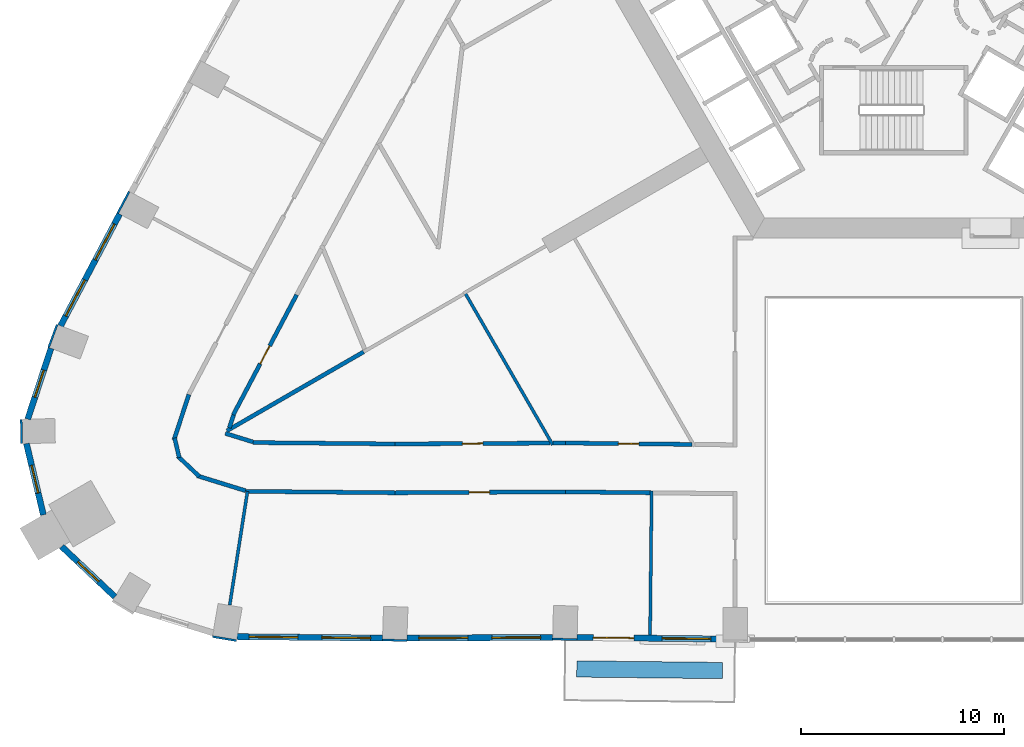
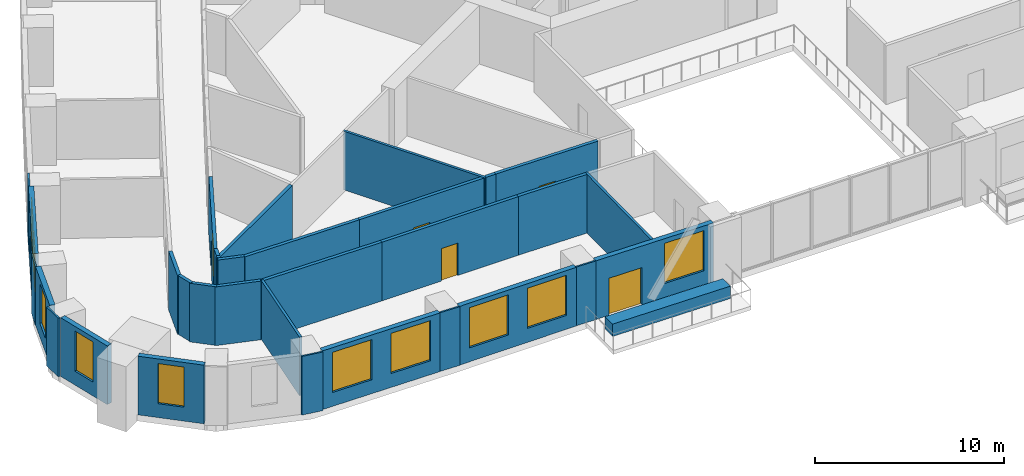
# One storey, part 4 of 14: 32 walls, 10 windows, 5 doors, 15 openings.
"""IFC4 building model written with IfcOpenShell, lengths in metres."""

from ifc_helpers import new_model, si_unit, direction, frame, frame_2d, origin, place, context, subcontext, project, spatial, rectangle, extrude, material, layer, layer_set, type_object, element, fill, save


model = new_model("IFC4")

# Units and contexts
model_context = context("Model", 3, precision=1e-05, world=origin(), true_north=direction((0.0, 1.0)))
body_context = subcontext(model_context, "Body", "Model", "MODEL_VIEW")
ifc_project = project(units=[si_unit("LENGTHUNIT", "METRE"), si_unit("AREAUNIT", "SQUARE_METRE"), si_unit("VOLUMEUNIT", "CUBIC_METRE"), si_unit("PLANEANGLEUNIT", "RADIAN"), si_unit("MASSUNIT", "GRAM", prefix="KILO")], contexts=[model_context])

# Site, building, storey
site_placement = place(None, origin())
site = spatial("IfcSite", under=ifc_project, at=site_placement, CompositionType="ELEMENT")
building_placement = place(site_placement, origin())
building = spatial("IfcBuilding", under=site, at=building_placement, Name="Entoto Arch Interchange Tower", CompositionType="ELEMENT")
storey_placement = place(building_placement, frame((0.0, 0.0, 64.39990234375)))
storey = spatial("IfcBuildingStorey", under=building, at=storey_placement, Name="L13", CompositionType="ELEMENT", Elevation=64.39990234375)

# Walls
ifc_material_1 = material(Name="Gypsum board partition on steel studs", Category="steel")
ifc_layer_1 = layer(ifc_material_1, 0.14990234375)
ifc_layer_set_1 = layer_set([ifc_layer_1], Name="Gypsum board partition on steel studs")
wall_type_1 = type_object("IfcWallType", Name="PARTITION 150", PredefinedType="PARTITIONING", material=ifc_layer_set_1)
wall_1_placement = place(storey_placement, frame((-16.76708984375, -19.657958984375, 0.0), z_axis=(0.0, 0.0, 1.0), x_axis=(-0.500083586486, 0.865977139726, 0.0)))
element("IfcWall", 1, at=wall_1_placement, inside=storey, type_object=wall_type_1, Name="wall:L13:p132", PredefinedType="PARTITIONING", context=body_context, shape_type="SweptSolid", body=[
    extrude(rectangle(XDim=8.68017578125, YDim=0.14990234375, at=frame_2d((4.340087890625, 0.0))), origin(), (0.0, 0.0, 1.0), 3.800048828125),
])
wall_2_placement = place(storey_placement, frame((-31.77294921875, -21.944091796875, 0.0), z_axis=(0.0, 0.0, 1.0), x_axis=(-0.154313693693, -0.988021904585, 0.0)))
element("IfcWall", 2, at=wall_2_placement, inside=storey, type_object=wall_type_1, Name="wall:L13:p149", PredefinedType="PARTITIONING", context=body_context, shape_type="SweptSolid", body=[
    extrude(rectangle(XDim=5.65771484375, YDim=0.14990234375, at=frame_2d((2.828857421875, 0.0))), origin(), (0.0, 0.0, 1.0), 3.800048828125),
])
wall_3_placement = place(storey_placement, frame((-11.903076171875, -21.9150390625, 0.0), z_axis=(0.0, 0.0, 1.0), x_axis=(-0.011106223261, -0.999938324, 0.0)))
element("IfcWall", 3, at=wall_3_placement, inside=storey, type_object=wall_type_1, Name="wall:L13:p150", PredefinedType="PARTITIONING", context=body_context, shape_type="SweptSolid", body=[
    extrude(rectangle(XDim=7.100341796875, YDim=0.14990234375, at=frame_2d((3.55029296875, 0.0))), origin(), (0.0, 0.0, 1.0), 3.800048828125),
])
ifc_layer_2 = layer(ifc_material_1, 0.199951171875)
ifc_layer_set_2 = layer_set([ifc_layer_2], Name="Gypsum board partition on steel studs")
wall_type_2 = type_object("IfcWallType", Name="PARTITION 200", PredefinedType="PARTITIONING", material=ifc_layer_set_2)
wall_4_placement = place(storey_placement, frame((-16.741943359375, -19.571044921875, 0.0), z_axis=(0.0, 0.0, 1.0), x_axis=(0.999988034534, 0.004891910483, 0.0)))
element("IfcWall", 4, at=wall_4_placement, inside=storey, type_object=wall_type_2, Name="wall:L13:p035", PredefinedType="PARTITIONING", context=body_context, shape_type="SweptSolid", body=[
    extrude(rectangle(XDim=0.598876953125, YDim=0.199951171875, at=frame_2d((0.29931640625, 0.0))), origin(), (0.0, 0.0, 1.0), 3.800048828125),
])

# Wall, opening, door
wall_5_placement = place(storey_placement, frame((-16.14306640625, -19.568115234375, 0.0), z_axis=(0.0, 0.0, 1.0), x_axis=(0.999938688645, -0.011073344206, 0.0)))
wall_5 = element("IfcWall", 5, at=wall_5_placement, inside=storey, type_object=wall_type_2, Name="wall:L13:p036", PredefinedType="PARTITIONING", context=body_context, shape_type="SweptSolid", body=[
    extrude(rectangle(XDim=6.217529296875, YDim=0.199951171875, at=frame_2d((3.10888671875, 0.0))), origin(), (0.0, 0.0, 1.0), 3.800048828125),
])
opening_1_placement = place(wall_5_placement, frame((2.60888671875, 0.0, 0.0)))
opening_1 = element("IfcOpeningElement", 6, at=opening_1_placement, cuts=wall_5, Name="Opening L13-D24", PredefinedType="OPENING", context=body_context, shape_type="SweptSolid", body=[
    extrude(rectangle(XDim=1.0, YDim=2.10009765625, at=frame_2d((0.5, 1.050048828125))), frame((0.0, 0.10986328125, 0.0), z_axis=(0.0, -1.0, 0.0), x_axis=(1.0, 0.0, 0.0)), (0.0, 0.0, 1.0), 0.219970703125),
])
ifc_material_2 = material(Name="Timber door leaf in Steel S235 frame", Category="steel")
door_type_1 = type_object("IfcDoorType", Name="DOOR DS-10 1000x2100", OperationType="SINGLE_SWING_LEFT", PredefinedType="DOOR", material=ifc_material_2)
door_1_placement = place(opening_1_placement, origin())
door_1 = element("IfcDoor", 7, at=door_1_placement, inside=storey, type_object=door_type_1, Name="door:L13:24", OperationType="SINGLE_SWING_LEFT", OverallHeight=2.10009765625, OverallWidth=1.0, PredefinedType="DOOR", context=body_context, shape_type="SweptSolid", body=[
    extrude(rectangle(XDim=1.0, YDim=2.10009765625, at=frame_2d((0.5, 1.050048828125))), frame((0.0, 0.02490234375, 0.0), z_axis=(0.0, -1.0, 0.0), x_axis=(1.0, 0.0, 0.0)), (0.0, 0.0, 1.0), 0.050048828125),
])
fill(opening_1, door_1)

wall_6_placement = place(storey_placement, frame((-29.35595703125, -12.281005859375, 0.0), z_axis=(0.0, 0.0, 1.0), x_axis=(-0.467123190417, -0.884192244353, 0.0)))
wall_6 = element("IfcWall", 8, at=wall_6_placement, inside=storey, type_object=wall_type_2, Name="wall:L13:p038", PredefinedType="PARTITIONING", context=body_context, shape_type="SweptSolid", body=[
    extrude(rectangle(XDim=6.67724609375, YDim=0.199951171875, at=frame_2d((3.338623046875, 0.0))), origin(), (0.0, 0.0, 1.0), 3.800048828125),
])
opening_2_placement = place(wall_6_placement, frame((2.839111328125, 0.0, 0.0)))
opening_2 = element("IfcOpeningElement", 9, at=opening_2_placement, cuts=wall_6, Name="Opening L13-D25", PredefinedType="OPENING", context=body_context, shape_type="SweptSolid", body=[
    extrude(rectangle(XDim=1.0, YDim=2.10009765625, at=frame_2d((0.5, 1.050048828125))), frame((0.0, 0.10986328125, 0.0), z_axis=(0.0, -1.0, 0.0), x_axis=(1.0, 0.0, 0.0)), (0.0, 0.0, 1.0), 0.219970703125),
])
door_2_placement = place(opening_2_placement, origin())
door_2 = element("IfcDoor", 10, at=door_2_placement, inside=storey, type_object=door_type_1, Name="door:L13:25", OperationType="SINGLE_SWING_LEFT", OverallHeight=2.10009765625, OverallWidth=1.0, PredefinedType="DOOR", context=body_context, shape_type="SweptSolid", body=[
    extrude(rectangle(XDim=1.0, YDim=2.10009765625, at=frame_2d((0.5, 1.050048828125))), frame((0.0, 0.02490234375, 0.0), z_axis=(0.0, -1.0, 0.0), x_axis=(1.0, 0.0, 0.0)), (0.0, 0.0, 1.0), 0.050048828125),
])
fill(opening_2, door_2)

# Walls
wall_7_placement = place(storey_placement, frame((-32.458984375, -18.19091796875, 0.0), z_axis=(0.0, 0.0, 1.0), x_axis=(-0.312158013001, -0.950030196846, 0.0)))
element("IfcWall", 11, at=wall_7_placement, inside=storey, type_object=wall_type_2, Name="wall:L13:p039", PredefinedType="PARTITIONING", context=body_context, shape_type="SweptSolid", body=[
    extrude(rectangle(XDim=0.666259765625, YDim=0.199951171875, at=frame_2d((0.3330078125, 0.0))), origin(), (0.0, 0.0, 1.0), 3.800048828125),
])
wall_8_placement = place(storey_placement, frame((-32.861083984375, -19.094970703125, 0.0), z_axis=(0.0, 0.0, 1.0), x_axis=(0.955301951006, -0.29563183591, 0.0)))
element("IfcWall", 12, at=wall_8_placement, inside=storey, type_object=wall_type_2, Name="wall:L13:p040", PredefinedType="PARTITIONING", context=body_context, shape_type="SweptSolid", body=[
    extrude(rectangle(XDim=1.43115234375, YDim=0.199951171875, at=frame_2d((0.715576171875, 0.0))), origin(), (0.0, 0.0, 1.0), 3.800048828125),
])
wall_9_placement = place(storey_placement, frame((-31.498046875, -19.5458984375, 0.0), z_axis=(0.0, 0.0, 1.0), x_axis=(0.999950985372, -0.009900851195, 0.0)))
element("IfcWall", 13, at=wall_9_placement, inside=storey, type_object=wall_type_2, Name="wall:L13:p041", PredefinedType="PARTITIONING", context=body_context, shape_type="SweptSolid", body=[
    extrude(rectangle(XDim=6.978271484375, YDim=0.199951171875, at=frame_2d((3.4892578125, 0.0))), origin(), (0.0, 0.0, 1.0), 3.800048828125),
])

# Wall, opening, door
wall_10_placement = place(storey_placement, frame((-24.52001953125, -19.614990234375, 0.0), z_axis=(0.0, 0.0, 1.0), x_axis=(0.999984134574, 0.00563299218, 0.0)))
wall_10 = element("IfcWall", 14, at=wall_10_placement, inside=storey, type_object=wall_type_2, Name="wall:L13:p042", PredefinedType="PARTITIONING", context=body_context, shape_type="SweptSolid", body=[
    extrude(rectangle(XDim=7.6279296875, YDim=0.199951171875, at=frame_2d((3.81396484375, 0.0))), origin(), (0.0, 0.0, 1.0), 3.800048828125),
])
opening_3_placement = place(wall_10_placement, frame((3.31396484375, 0.0, 0.0)))
opening_3 = element("IfcOpeningElement", 15, at=opening_3_placement, cuts=wall_10, Name="Opening L13-D26", PredefinedType="OPENING", context=body_context, shape_type="SweptSolid", body=[
    extrude(rectangle(XDim=1.0, YDim=2.10009765625, at=frame_2d((0.5, 1.050048828125))), frame((0.0, 0.10986328125, 0.0), z_axis=(0.0, -1.0, 0.0), x_axis=(1.0, 0.0, 0.0)), (0.0, 0.0, 1.0), 0.219970703125),
])
door_3_placement = place(opening_3_placement, origin())
door_3 = element("IfcDoor", 16, at=door_3_placement, inside=storey, type_object=door_type_1, Name="door:L13:26", OperationType="SINGLE_SWING_LEFT", OverallHeight=2.10009765625, OverallWidth=1.0, PredefinedType="DOOR", context=body_context, shape_type="SweptSolid", body=[
    extrude(rectangle(XDim=1.0, YDim=2.10009765625, at=frame_2d((0.5, 1.050048828125))), frame((0.0, 0.02490234375, 0.0), z_axis=(0.0, -1.0, 0.0), x_axis=(1.0, 0.0, 0.0)), (0.0, 0.0, 1.0), 0.050048828125),
])
fill(opening_3, door_3)

# Walls
wall_11_placement = place(storey_placement, frame((-31.867919921875, -21.9140625, 0.0), z_axis=(0.0, 0.0, 1.0), x_axis=(-0.955329505989, 0.295542780299, 0.0)))
element("IfcWall", 17, at=wall_11_placement, inside=storey, type_object=wall_type_2, Name="wall:L13:p074", PredefinedType="PARTITIONING", context=body_context, shape_type="SweptSolid", body=[
    extrude(rectangle(XDim=2.48388671875, YDim=0.199951171875, at=frame_2d((1.241943359375, 0.0))), origin(), (0.0, 0.0, 1.0), 3.800048828125),
])
wall_12_placement = place(storey_placement, frame((-34.14599609375, -21.208984375, 0.0), z_axis=(0.0, 0.0, 1.0), x_axis=(-0.727092478665, 0.686539530885, 0.0)))
element("IfcWall", 18, at=wall_12_placement, inside=storey, type_object=wall_type_2, Name="wall:L13:p075", PredefinedType="PARTITIONING", context=body_context, shape_type="SweptSolid", body=[
    extrude(rectangle(XDim=1.450927734375, YDim=0.199951171875, at=frame_2d((0.7255859375, 0.0))), origin(), (0.0, 0.0, 1.0), 3.800048828125),
])
wall_13_placement = place(storey_placement, frame((-35.12890625, -20.281005859375, 0.0), z_axis=(0.0, 0.0, 1.0), x_axis=(-0.230392306785, 0.973097829087, 0.0)))
element("IfcWall", 19, at=wall_13_placement, inside=storey, type_object=wall_type_2, Name="wall:L13:p076", PredefinedType="PARTITIONING", context=body_context, shape_type="SweptSolid", body=[
    extrude(rectangle(XDim=0.985595703125, YDim=0.199951171875, at=frame_2d((0.49267578125, 0.0))), origin(), (0.0, 0.0, 1.0), 3.800048828125),
])
wall_14_placement = place(storey_placement, frame((-35.386962890625, -19.416015625, 0.0), z_axis=(0.0, 0.0, 1.0), x_axis=(0.31172635658, 0.950171920556, 0.0)))
element("IfcWall", 20, at=wall_14_placement, inside=storey, type_object=wall_type_2, Name="wall:L13:p077", PredefinedType="PARTITIONING", context=body_context, shape_type="SweptSolid", body=[
    extrude(rectangle(XDim=2.344970703125, YDim=0.199951171875, at=frame_2d((1.17236328125, 0.0))), origin(), (0.0, 0.0, 1.0), 3.800048828125),
])
wall_15_placement = place(storey_placement, frame((-11.97900390625, -22.013916015625, 0.0), z_axis=(0.0, 0.0, 1.0), x_axis=(-0.999939456554, 0.01100378236, 0.0)))
element("IfcWall", 21, at=wall_15_placement, inside=storey, type_object=wall_type_2, Name="wall:L13:p079", PredefinedType="PARTITIONING", context=body_context, shape_type="SweptSolid", body=[
    extrude(rectangle(XDim=4.171142578125, YDim=0.199951171875, at=frame_2d((2.08544921875, 0.0))), origin(), (0.0, 0.0, 1.0), 3.800048828125),
])

# Wall, opening, door
wall_16_placement = place(storey_placement, frame((-16.14990234375, -21.968017578125, 0.0), z_axis=(0.0, 0.0, 1.0), x_axis=(-0.99998433708, -0.00559692726, 0.0)))
wall_16 = element("IfcWall", 22, at=wall_16_placement, inside=storey, type_object=wall_type_2, Name="wall:L13:p080", PredefinedType="PARTITIONING", context=body_context, shape_type="SweptSolid", body=[
    extrude(rectangle(XDim=8.375244140625, YDim=0.199951171875, at=frame_2d((4.1875, 0.0))), origin(), (0.0, 0.0, 1.0), 3.800048828125),
])
opening_4_placement = place(wall_16_placement, frame((3.72509765625, 0.0, 0.0)))
opening_4 = element("IfcOpeningElement", 23, at=opening_4_placement, cuts=wall_16, Name="Opening L13-D17", PredefinedType="OPENING", context=body_context, shape_type="SweptSolid", body=[
    extrude(rectangle(XDim=1.0, YDim=2.10009765625, at=frame_2d((0.5, 1.050048828125))), frame((0.0, 0.10986328125, 0.0), z_axis=(0.0, -1.0, 0.0), x_axis=(1.0, 0.0, 0.0)), (0.0, 0.0, 1.0), 0.219970703125),
])
door_4_placement = place(opening_4_placement, origin())
door_4 = element("IfcDoor", 24, at=door_4_placement, inside=storey, type_object=door_type_1, Name="door:L13:17", OperationType="SINGLE_SWING_RIGHT", OverallHeight=2.10009765625, OverallWidth=1.0, PredefinedType="DOOR", context=body_context, shape_type="SweptSolid", body=[
    extrude(rectangle(XDim=1.0, YDim=2.10009765625, at=frame_2d((0.5, 1.050048828125))), frame((0.0, 0.02490234375, 0.0), z_axis=(0.0, -1.0, 0.0), x_axis=(1.0, 0.0, 0.0)), (0.0, 0.0, 1.0), 0.050048828125),
])
fill(opening_4, door_4)

# Walls
wall_17_placement = place(storey_placement, frame((-24.52490234375, -22.014892578125, 0.0), z_axis=(0.0, 0.0, 1.0), x_axis=(-0.999952295614, 0.009767624922, 0.0)))
element("IfcWall", 25, at=wall_17_placement, inside=storey, type_object=wall_type_2, Name="wall:L13:p081", PredefinedType="PARTITIONING", context=body_context, shape_type="SweptSolid", body=[
    extrude(rectangle(XDim=7.348388671875, YDim=0.199951171875, at=frame_2d((3.67431640625, 0.0))), origin(), (0.0, 0.0, 1.0), 3.800048828125),
])
wall_18_placement = place(storey_placement, frame((-26.06396484375, -15.087890625, 0.0), z_axis=(0.0, 0.0, 1.0), x_axis=(-0.865982841629, -0.500073712571, 0.0)))
element("IfcWall", 26, at=wall_18_placement, inside=storey, type_object=wall_type_2, Name="wall:L13:p133", PredefinedType="PARTITIONING", context=body_context, shape_type="SweptSolid", body=[
    extrude(rectangle(XDim=7.760986328125, YDim=0.199951171875, at=frame_2d((3.88037109375, 0.0))), origin(), (0.0, 0.0, 1.0), 3.800048828125),
])
ifc_material_3 = material(Name="Board-marked precast concrete C50/60", Category="concrete")
ifc_layer_3 = layer(ifc_material_3, 0.800048828125)
ifc_layer_set_3 = layer_set([ifc_layer_3], Name="Board-marked precast concrete C50/60")
wall_type_3 = type_object("IfcWallType", Name="PLANTER RC 800 Vachellia abyssinica", PredefinedType="STANDARD", material=ifc_layer_set_3)
wall_19_placement = place(storey_placement, frame((-15.5859375, -30.675048828125, 0.0), z_axis=(0.0, 0.0, 1.0), x_axis=(0.999939523464, -0.010997700425, 0.0)))
element("IfcWall", 27, at=wall_19_placement, inside=storey, type_object=wall_type_3, Name="Planter S-03 L13", PredefinedType="STANDARD", context=body_context, shape_type="SweptSolid", body=[
    extrude(rectangle(XDim=7.17041015625, YDim=0.800048828125, at=frame_2d((3.585205078125, 0.0))), origin(), (0.0, 0.0, 1.0), 0.800048828125),
])

# Wall, openings, windows
ifc_material_4 = material(Name="Welded tuff (ignimbrite) cladding, warm buff", Category="masonry")
ifc_layer_4 = layer(ifc_material_4, 0.300048828125)
ifc_layer_set_4 = layer_set([ifc_layer_4], Name="Welded tuff (ignimbrite) cladding, warm buff")
wall_type_4 = type_object("IfcWallType", Name="STONE INFILL WALL 300", PredefinedType="STANDARD", material=ifc_layer_set_4)
wall_20_placement = place(storey_placement, frame((-32.279052734375, -29.089111328125, 0.0), z_axis=(0.0, 0.0, 1.0), x_axis=(0.999952253205, -0.009771965572, 0.0)))
wall_20 = element("IfcWall", 28, at=wall_20_placement, inside=storey, type_object=wall_type_4, Name="Facade wall S-01 L13", PredefinedType="STANDARD", context=body_context, shape_type="SweptSolid", body=[
    extrude(rectangle(XDim=7.145263671875, YDim=0.300048828125, at=frame_2d((3.57275390625, 0.0))), origin(), (0.0, 0.0, 1.0), 3.800048828125),
])
opening_5_placement = place(wall_20_placement, frame((0.5859375, 0.0, 0.89990234375)))
opening_5 = element("IfcOpeningElement", 29, at=opening_5_placement, cuts=wall_20, Name="Opening WO-A", PredefinedType="OPENING", context=body_context, shape_type="SweptSolid", body=[
    extrude(rectangle(XDim=2.39990234375, YDim=2.60009765625, at=frame_2d((1.199951171875, 1.300048828125))), frame((0.0, 0.16015625, 0.0), z_axis=(0.0, -1.0, 0.0), x_axis=(1.0, 0.0, 0.0)), (0.0, 0.0, 1.0), 0.320068359375),
])
opening_6_placement = place(wall_20_placement, frame((4.158935546875, 0.0, 0.89990234375)))
opening_6 = element("IfcOpeningElement", 30, at=opening_6_placement, cuts=wall_20, Name="Opening WO-A", PredefinedType="OPENING", context=body_context, shape_type="SweptSolid", body=[
    extrude(rectangle(XDim=2.39990234375, YDim=2.60009765625, at=frame_2d((1.199951171875, 1.300048828125))), frame((0.0, 0.16015625, 0.0), z_axis=(0.0, -1.0, 0.0), x_axis=(1.0, 0.0, 0.0)), (0.0, 0.0, 1.0), 0.320068359375),
])
ifc_material_5 = material(Name="Clear glass, low-e double glazed", Category="glass")
window_type_1 = type_object("IfcWindowType", Name="WINDOW WO-A 2400x2600", PartitioningType="DOUBLE_PANEL_VERTICAL", PredefinedType="WINDOW", material=ifc_material_5)
window_1_placement = place(opening_5_placement, origin())
window_1 = element("IfcWindow", 31, at=window_1_placement, inside=storey, type_object=window_type_1, Name="Window WO-A S-01 L13", OverallHeight=2.60009765625, OverallWidth=2.39990234375, PartitioningType="SINGLE_PANEL", PredefinedType="WINDOW", context=body_context, shape_type="SweptSolid", body=[
    extrude(rectangle(XDim=2.39990234375, YDim=2.60009765625, at=frame_2d((1.199951171875, 1.300048828125))), frame((0.0, 0.030029296875, 0.0), z_axis=(0.0, -1.0, 0.0), x_axis=(1.0, 0.0, 0.0)), (0.0, 0.0, 1.0), 0.06005859375),
])
fill(opening_5, window_1)
window_2_placement = place(opening_6_placement, origin())
window_2 = element("IfcWindow", 32, at=window_2_placement, inside=storey, type_object=window_type_1, Name="Window WO-A S-01 L13", OverallHeight=2.60009765625, OverallWidth=2.39990234375, PartitioningType="SINGLE_PANEL", PredefinedType="WINDOW", context=body_context, shape_type="SweptSolid", body=[
    extrude(rectangle(XDim=2.39990234375, YDim=2.60009765625, at=frame_2d((1.199951171875, 1.300048828125))), frame((0.0, 0.030029296875, 0.0), z_axis=(0.0, -1.0, 0.0), x_axis=(1.0, 0.0, 0.0)), (0.0, 0.0, 1.0), 0.06005859375),
])
fill(opening_6, window_2)

wall_21_placement = place(storey_placement, frame((-23.93603515625, -29.162109375, 0.0), z_axis=(0.0, 0.0, 1.0), x_axis=(0.999983638272, 0.005720418525, 0.0)))
wall_21 = element("IfcWall", 33, at=wall_21_placement, inside=storey, type_object=wall_type_4, Name="Facade wall S-02 L13", PredefinedType="STANDARD", context=body_context, shape_type="SweptSolid", body=[
    extrude(rectangle(XDim=7.169921875, YDim=0.300048828125, at=frame_2d((3.5849609375, 0.0))), origin(), (0.0, 0.0, 1.0), 3.800048828125),
])
opening_7_placement = place(wall_21_placement, frame((0.593017578125, 0.0, 0.89990234375)))
opening_7 = element("IfcOpeningElement", 34, at=opening_7_placement, cuts=wall_21, Name="Opening WO-A", PredefinedType="OPENING", context=body_context, shape_type="SweptSolid", body=[
    extrude(rectangle(XDim=2.39990234375, YDim=2.60009765625, at=frame_2d((1.199951171875, 1.300048828125))), frame((0.0, 0.16015625, 0.0), z_axis=(0.0, -1.0, 0.0), x_axis=(1.0, 0.0, 0.0)), (0.0, 0.0, 1.0), 0.320068359375),
])
opening_8_placement = place(wall_21_placement, frame((4.177978515625, 0.0, 0.89990234375)))
opening_8 = element("IfcOpeningElement", 35, at=opening_8_placement, cuts=wall_21, Name="Opening WO-A", PredefinedType="OPENING", context=body_context, shape_type="SweptSolid", body=[
    extrude(rectangle(XDim=2.39990234375, YDim=2.60009765625, at=frame_2d((1.199951171875, 1.300048828125))), frame((0.0, 0.16015625, 0.0), z_axis=(0.0, -1.0, 0.0), x_axis=(1.0, 0.0, 0.0)), (0.0, 0.0, 1.0), 0.320068359375),
])
window_3_placement = place(opening_7_placement, origin())
window_3 = element("IfcWindow", 36, at=window_3_placement, inside=storey, type_object=window_type_1, Name="Window WO-A S-02 L13", OverallHeight=2.60009765625, OverallWidth=2.39990234375, PartitioningType="SINGLE_PANEL", PredefinedType="WINDOW", context=body_context, shape_type="SweptSolid", body=[
    extrude(rectangle(XDim=2.39990234375, YDim=2.60009765625, at=frame_2d((1.199951171875, 1.300048828125))), frame((0.0, 0.030029296875, 0.0), z_axis=(0.0, -1.0, 0.0), x_axis=(1.0, 0.0, 0.0)), (0.0, 0.0, 1.0), 0.06005859375),
])
fill(opening_7, window_3)
window_4_placement = place(opening_8_placement, origin())
window_4 = element("IfcWindow", 37, at=window_4_placement, inside=storey, type_object=window_type_1, Name="Window WO-A S-02 L13", OverallHeight=2.60009765625, OverallWidth=2.39990234375, PartitioningType="SINGLE_PANEL", PredefinedType="WINDOW", context=body_context, shape_type="SweptSolid", body=[
    extrude(rectangle(XDim=2.39990234375, YDim=2.60009765625, at=frame_2d((1.199951171875, 1.300048828125))), frame((0.0, 0.030029296875, 0.0), z_axis=(0.0, -1.0, 0.0), x_axis=(1.0, 0.0, 0.0)), (0.0, 0.0, 1.0), 0.06005859375),
])
fill(opening_8, window_4)

# Wall, openings, door, window
wall_22_placement = place(storey_placement, frame((-15.568115234375, -29.125, 0.0), z_axis=(0.0, 0.0, 1.0), x_axis=(0.999939152594, -0.011031369316, 0.0)))
wall_22 = element("IfcWall", 38, at=wall_22_placement, inside=storey, type_object=wall_type_4, Name="Facade wall S-03 L13", PredefinedType="STANDARD", context=body_context, shape_type="SweptSolid", body=[
    extrude(rectangle(XDim=7.170654296875, YDim=0.300048828125, at=frame_2d((3.58544921875, 0.0))), origin(), (0.0, 0.0, 1.0), 3.800048828125),
])
opening_9_placement = place(wall_22_placement, frame((0.79296875, 0.0, 0.0)))
opening_9 = element("IfcOpeningElement", 39, at=opening_9_placement, cuts=wall_22, Name="Opening DB-S-03-L13", PredefinedType="OPENING", context=body_context, shape_type="SweptSolid", body=[
    extrude(rectangle(XDim=2.0, YDim=2.39990234375, at=frame_2d((1.0, 1.199951171875))), frame((0.0, 0.16015625, 0.0), z_axis=(0.0, -1.0, 0.0), x_axis=(1.0, 0.0, 0.0)), (0.0, 0.0, 1.0), 0.320068359375),
])
opening_10_placement = place(wall_22_placement, frame((4.177978515625, 0.0, 0.89990234375)))
opening_10 = element("IfcOpeningElement", 40, at=opening_10_placement, cuts=wall_22, Name="Opening WO-A", PredefinedType="OPENING", context=body_context, shape_type="SweptSolid", body=[
    extrude(rectangle(XDim=2.39990234375, YDim=2.60009765625, at=frame_2d((1.199951171875, 1.300048828125))), frame((0.0, 0.16015625, 0.0), z_axis=(0.0, -1.0, 0.0), x_axis=(1.0, 0.0, 0.0)), (0.0, 0.0, 1.0), 0.320068359375),
])
ifc_material_6 = material(Name="Aluminium and clear glass, anodised", Category="aluminium")
door_type_2 = type_object("IfcDoorType", Name="BALCONY DOOR DB 2000x2400", OperationType="SLIDING_TO_LEFT", PredefinedType="DOOR", material=ifc_material_6)
door_5_placement = place(opening_9_placement, origin())
door_5 = element("IfcDoor", 41, at=door_5_placement, inside=storey, type_object=door_type_2, Name="Balcony door S-03 L13", OperationType="SLIDING_TO_LEFT", OverallHeight=2.39990234375, OverallWidth=2.0, PredefinedType="DOOR", context=body_context, shape_type="SweptSolid", body=[
    extrude(rectangle(XDim=2.0, YDim=2.39990234375, at=frame_2d((1.0, 1.199951171875))), frame((0.0, 0.02490234375, 0.0), z_axis=(0.0, -1.0, 0.0), x_axis=(1.0, 0.0, 0.0)), (0.0, 0.0, 1.0), 0.050048828125),
])
fill(opening_9, door_5)
window_5_placement = place(opening_10_placement, origin())
window_5 = element("IfcWindow", 42, at=window_5_placement, inside=storey, type_object=window_type_1, Name="Window WO-A S-03 L13", OverallHeight=2.60009765625, OverallWidth=2.39990234375, PartitioningType="SINGLE_PANEL", PredefinedType="WINDOW", context=body_context, shape_type="SweptSolid", body=[
    extrude(rectangle(XDim=2.39990234375, YDim=2.60009765625, at=frame_2d((1.199951171875, 1.300048828125))), frame((0.0, 0.030029296875, 0.0), z_axis=(0.0, -1.0, 0.0), x_axis=(1.0, 0.0, 0.0)), (0.0, 0.0, 1.0), 0.06005859375),
])
fill(opening_10, window_5)

# Wall, openings, windows
wall_23_placement = place(storey_placement, frame((-38.05908203125, -8.31005859375, 0.0), z_axis=(0.0, 0.0, 1.0), x_axis=(-0.467041710902, -0.884235285587, 0.0)))
wall_23 = element("IfcWall", 43, at=wall_23_placement, inside=storey, type_object=wall_type_4, Name="Facade wall NW-09 L13", PredefinedType="STANDARD", context=body_context, shape_type="SweptSolid", body=[
    extrude(rectangle(XDim=6.219970703125, YDim=0.300048828125, at=frame_2d((3.10986328125, 0.0))), origin(), (0.0, 0.0, 1.0), 3.800048828125),
])
opening_11_placement = place(wall_23_placement, frame((0.554931640625, 0.0, 0.89990234375)))
opening_11 = element("IfcOpeningElement", 44, at=opening_11_placement, cuts=wall_23, Name="Opening WO-C", PredefinedType="OPENING", context=body_context, shape_type="SweptSolid", body=[
    extrude(rectangle(XDim=2.0, YDim=2.60009765625, at=frame_2d((1.0, 1.300048828125))), frame((0.0, 0.16015625, 0.0), z_axis=(0.0, -1.0, 0.0), x_axis=(1.0, 0.0, 0.0)), (0.0, 0.0, 1.0), 0.320068359375),
])
opening_12_placement = place(wall_23_placement, frame((3.6650390625, 0.0, 0.89990234375)))
opening_12 = element("IfcOpeningElement", 45, at=opening_12_placement, cuts=wall_23, Name="Opening WO-C", PredefinedType="OPENING", context=body_context, shape_type="SweptSolid", body=[
    extrude(rectangle(XDim=2.0, YDim=2.60009765625, at=frame_2d((1.0, 1.300048828125))), frame((0.0, 0.16015625, 0.0), z_axis=(0.0, -1.0, 0.0), x_axis=(1.0, 0.0, 0.0)), (0.0, 0.0, 1.0), 0.320068359375),
])
window_type_2 = type_object("IfcWindowType", Name="WINDOW WO-C 2000x2600", PartitioningType="DOUBLE_PANEL_VERTICAL", PredefinedType="WINDOW", material=ifc_material_5)
window_6_placement = place(opening_11_placement, origin())
window_6 = element("IfcWindow", 46, at=window_6_placement, inside=storey, type_object=window_type_2, Name="Window WO-C NW-09 L13", OverallHeight=2.60009765625, OverallWidth=2.0, PartitioningType="SINGLE_PANEL", PredefinedType="WINDOW", context=body_context, shape_type="SweptSolid", body=[
    extrude(rectangle(XDim=2.0, YDim=2.60009765625, at=frame_2d((1.0, 1.300048828125))), frame((0.0, 0.030029296875, 0.0), z_axis=(0.0, -1.0, 0.0), x_axis=(1.0, 0.0, 0.0)), (0.0, 0.0, 1.0), 0.06005859375),
])
fill(opening_11, window_6)
window_7_placement = place(opening_12_placement, origin())
window_7 = element("IfcWindow", 47, at=window_7_placement, inside=storey, type_object=window_type_2, Name="Window WO-C NW-09 L13", OverallHeight=2.60009765625, OverallWidth=2.0, PartitioningType="SINGLE_PANEL", PredefinedType="WINDOW", context=body_context, shape_type="SweptSolid", body=[
    extrude(rectangle(XDim=2.0, YDim=2.60009765625, at=frame_2d((1.0, 1.300048828125))), frame((0.0, 0.030029296875, 0.0), z_axis=(0.0, -1.0, 0.0), x_axis=(1.0, 0.0, 0.0)), (0.0, 0.0, 1.0), 0.06005859375),
])
fill(opening_12, window_7)

# Wall, opening, window
wall_24_placement = place(storey_placement, frame((-41.43408203125, -14.9130859375, 0.0), z_axis=(0.0, 0.0, 1.0), x_axis=(-0.31208801137, -0.95005319491, 0.0)))
wall_24 = element("IfcWall", 48, at=wall_24_placement, inside=storey, type_object=wall_type_4, Name="Facade wall SW-01 L13", PredefinedType="STANDARD", context=body_context, shape_type="SweptSolid", body=[
    extrude(rectangle(XDim=3.6650390625, YDim=0.300048828125, at=frame_2d((1.83251953125, 0.0))), origin(), (0.0, 0.0, 1.0), 3.800048828125),
])
opening_13_placement = place(wall_24_placement, frame((1.133056640625, 0.0, 0.89990234375)))
opening_13 = element("IfcOpeningElement", 49, at=opening_13_placement, cuts=wall_24, Name="Opening WO-B", PredefinedType="OPENING", context=body_context, shape_type="SweptSolid", body=[
    extrude(rectangle(XDim=1.39990234375, YDim=2.60009765625, at=frame_2d((0.699951171875, 1.300048828125))), frame((0.0, 0.16015625, 0.0), z_axis=(0.0, -1.0, 0.0), x_axis=(1.0, 0.0, 0.0)), (0.0, 0.0, 1.0), 0.320068359375),
])
window_type_3 = type_object("IfcWindowType", Name="WINDOW WO-B 1400x2600", PartitioningType="DOUBLE_PANEL_VERTICAL", PredefinedType="WINDOW", material=ifc_material_5)
window_8_placement = place(opening_13_placement, origin())
window_8 = element("IfcWindow", 50, at=window_8_placement, inside=storey, type_object=window_type_3, Name="Window WO-B SW-01 L13", OverallHeight=2.60009765625, OverallWidth=1.39990234375, PartitioningType="SINGLE_PANEL", PredefinedType="WINDOW", context=body_context, shape_type="SweptSolid", body=[
    extrude(rectangle(XDim=1.39990234375, YDim=2.60009765625, at=frame_2d((0.699951171875, 1.300048828125))), frame((0.0, 0.030029296875, 0.0), z_axis=(0.0, -1.0, 0.0), x_axis=(1.0, 0.0, 0.0)), (0.0, 0.0, 1.0), 0.06005859375),
])
fill(opening_13, window_8)

wall_25_placement = place(storey_placement, frame((-42.639892578125, -19.594970703125, 0.0), z_axis=(0.0, 0.0, 1.0), x_axis=(0.230893603767, -0.972979004778, 0.0)))
wall_25 = element("IfcWall", 51, at=wall_25_placement, inside=storey, type_object=wall_type_4, Name="Facade wall SW-02 L13", PredefinedType="STANDARD", context=body_context, shape_type="SweptSolid", body=[
    extrude(rectangle(XDim=3.6025390625, YDim=0.300048828125, at=frame_2d((1.80126953125, 0.0))), origin(), (0.0, 0.0, 1.0), 3.800048828125),
])
opening_14_placement = place(wall_25_placement, frame((1.10107421875, 0.0, 0.89990234375)))
opening_14 = element("IfcOpeningElement", 52, at=opening_14_placement, cuts=wall_25, Name="Opening WO-B", PredefinedType="OPENING", context=body_context, shape_type="SweptSolid", body=[
    extrude(rectangle(XDim=1.39990234375, YDim=2.60009765625, at=frame_2d((0.699951171875, 1.300048828125))), frame((0.0, 0.16015625, 0.0), z_axis=(0.0, -1.0, 0.0), x_axis=(1.0, 0.0, 0.0)), (0.0, 0.0, 1.0), 0.320068359375),
])
window_9_placement = place(opening_14_placement, origin())
window_9 = element("IfcWindow", 53, at=window_9_placement, inside=storey, type_object=window_type_3, Name="Window WO-B SW-02 L13", OverallHeight=2.60009765625, OverallWidth=1.39990234375, PartitioningType="SINGLE_PANEL", PredefinedType="WINDOW", context=body_context, shape_type="SweptSolid", body=[
    extrude(rectangle(XDim=1.39990234375, YDim=2.60009765625, at=frame_2d((0.699951171875, 1.300048828125))), frame((0.0, 0.030029296875, 0.0), z_axis=(0.0, -1.0, 0.0), x_axis=(1.0, 0.0, 0.0)), (0.0, 0.0, 1.0), 0.06005859375),
])
fill(opening_14, window_9)

wall_26_placement = place(storey_placement, frame((-40.908935546875, -24.656982421875, 0.0), z_axis=(0.0, 0.0, 1.0), x_axis=(0.727082698591, -0.686549888508, 0.0)))
wall_26 = element("IfcWall", 54, at=wall_26_placement, inside=storey, type_object=wall_type_4, Name="Facade wall SW-03 L13", PredefinedType="STANDARD", context=body_context, shape_type="SweptSolid", body=[
    extrude(rectangle(XDim=3.601806640625, YDim=0.300048828125, at=frame_2d((1.80078125, 0.0))), origin(), (0.0, 0.0, 1.0), 3.800048828125),
])
opening_15_placement = place(wall_26_placement, frame((1.10107421875, 0.0, 0.89990234375)))
opening_15 = element("IfcOpeningElement", 55, at=opening_15_placement, cuts=wall_26, Name="Opening WO-B", PredefinedType="OPENING", context=body_context, shape_type="SweptSolid", body=[
    extrude(rectangle(XDim=1.39990234375, YDim=2.60009765625, at=frame_2d((0.699951171875, 1.300048828125))), frame((0.0, 0.16015625, 0.0), z_axis=(0.0, -1.0, 0.0), x_axis=(1.0, 0.0, 0.0)), (0.0, 0.0, 1.0), 0.320068359375),
])
window_10_placement = place(opening_15_placement, origin())
window_10 = element("IfcWindow", 56, at=window_10_placement, inside=storey, type_object=window_type_3, Name="Window WO-B SW-03 L13", OverallHeight=2.60009765625, OverallWidth=1.39990234375, PartitioningType="SINGLE_PANEL", PredefinedType="WINDOW", context=body_context, shape_type="SweptSolid", body=[
    extrude(rectangle(XDim=1.39990234375, YDim=2.60009765625, at=frame_2d((0.699951171875, 1.300048828125))), frame((0.0, 0.030029296875, 0.0), z_axis=(0.0, -1.0, 0.0), x_axis=(1.0, 0.0, 0.0)), (0.0, 0.0, 1.0), 0.06005859375),
])
fill(opening_15, window_10)

# Walls
ifc_layer_5 = layer(ifc_material_4, 0.10009765625)
ifc_layer_set_5 = layer_set([ifc_layer_5], Name="Welded tuff (ignimbrite) cladding, warm buff")
wall_type_5 = type_object("IfcWallType", Name="STONE PIER CLADDING 100", PredefinedType="STANDARD", material=ifc_layer_set_5)
wall_27_placement = place(storey_placement, frame((-37.5859375, -7.2041015625, 0.0), z_axis=(0.0, 0.0, 1.0), x_axis=(-0.469467784567, -0.882949601763, 0.0)))
element("IfcWall", 57, at=wall_27_placement, inside=storey, type_object=wall_type_5, Name="Stone pier NW09 L13", PredefinedType="STANDARD", context=body_context, shape_type="SweptSolid", body=[
    extrude(rectangle(XDim=1.19921875, YDim=0.10009765625, at=frame_2d((0.599609375, 0.0))), origin(), (0.0, 0.0, 1.0), 3.800048828125),
])
wall_28_placement = place(storey_placement, frame((-41.132080078125, -13.74609375, 0.0), z_axis=(0.0, 0.0, 1.0), x_axis=(-0.348268249601, -0.937394914814, 0.0)))
element("IfcWall", 58, at=wall_28_placement, inside=storey, type_object=wall_type_5, Name="Stone pier NW10 L13", PredefinedType="STANDARD", context=body_context, shape_type="SweptSolid", body=[
    extrude(rectangle(XDim=1.2001953125, YDim=0.10009765625, at=frame_2d((0.60009765625, 0.0))), origin(), (0.0, 0.0, 1.0), 3.800048828125),
])
for number, where, z_axis, x_axis, name in (
    (59, (-33.493896484375, -29.083984375, 0.0), (0.0, 0.0, 1.0), (0.986011774526, -0.166675674579, 0.0), "Stone pier S01 L13"),
    (60, (-25.137939453125, -29.2451171875, 0.0), (0.0, 0.0, 1.0), (0.999449640202, -0.033172529292, 0.0), "Stone pier S02 L13"),
):
    element("IfcWall", number, at=place(storey_placement, frame(where, z_axis=z_axis, x_axis=x_axis)), inside=storey, type_object=wall_type_5, Name=name, PredefinedType="STANDARD", context=body_context, shape_type="SweptSolid", body=[
        extrude(rectangle(XDim=1.19970703125, YDim=0.10009765625, at=frame_2d((0.599853515625, 0.0))), origin(), (0.0, 0.0, 1.0), 3.800048828125),
    ])
wall_29_placement = place(storey_placement, frame((-16.76904296875, -29.205078125, 0.0), z_axis=(0.0, 0.0, 1.0), x_axis=(0.99976752127, -0.021561618973, 0.0)))
element("IfcWall", 61, at=wall_29_placement, inside=storey, type_object=wall_type_5, Name="Stone pier S03 L13", PredefinedType="STANDARD", context=body_context, shape_type="SweptSolid", body=[
    extrude(rectangle(XDim=1.2001953125, YDim=0.10009765625, at=frame_2d((0.60009765625, 0.0))), origin(), (0.0, 0.0, 1.0), 3.800048828125),
])
wall_30_placement = place(storey_placement, frame((-42.89892578125, -18.40087890625, 0.0), z_axis=(0.0, 0.0, 1.0), x_axis=(0.023183352363, -0.999731229968, 0.0)))
element("IfcWall", 62, at=wall_30_placement, inside=storey, type_object=wall_type_5, Name="Stone pier SW1 L13", PredefinedType="STANDARD", context=body_context, shape_type="SweptSolid", body=[
    extrude(rectangle(XDim=1.200439453125, YDim=0.10009765625, at=frame_2d((0.60009765625, 0.0))), origin(), (0.0, 0.0, 1.0), 3.800048828125),
])

save(model, "model.ifc")
